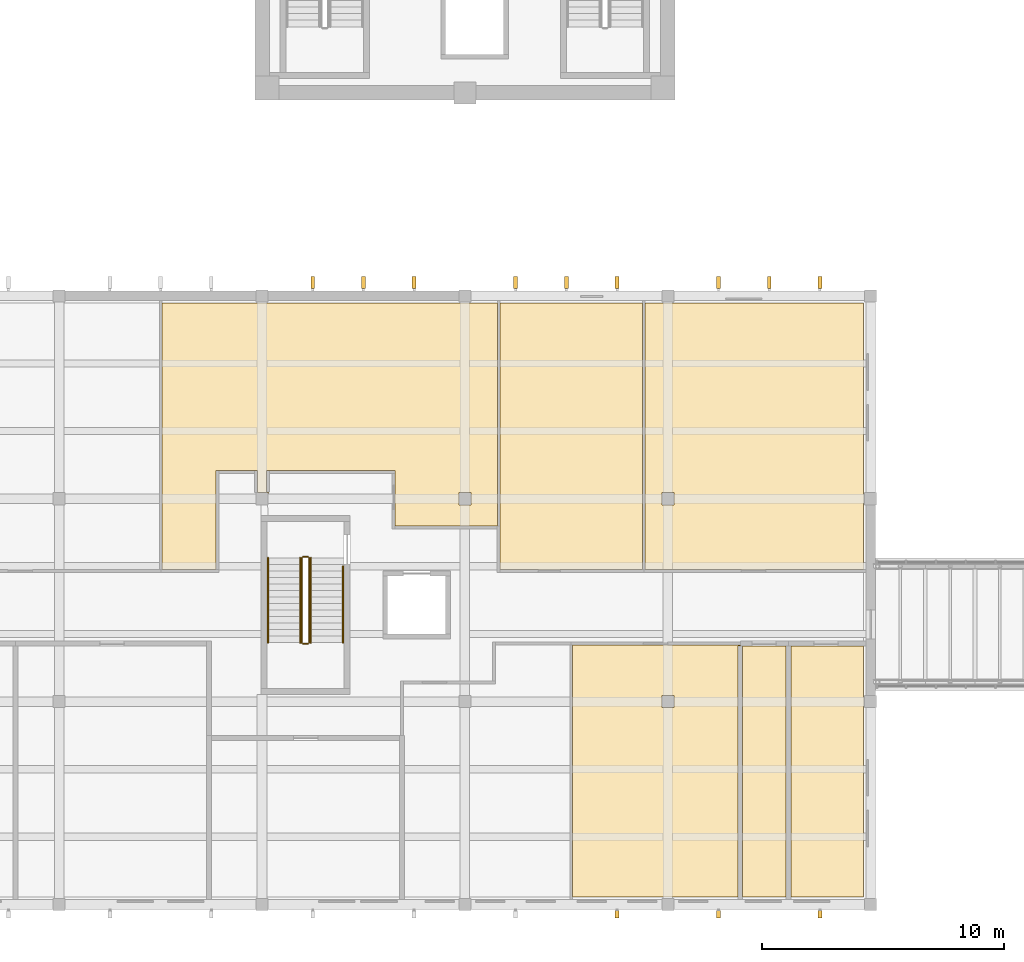
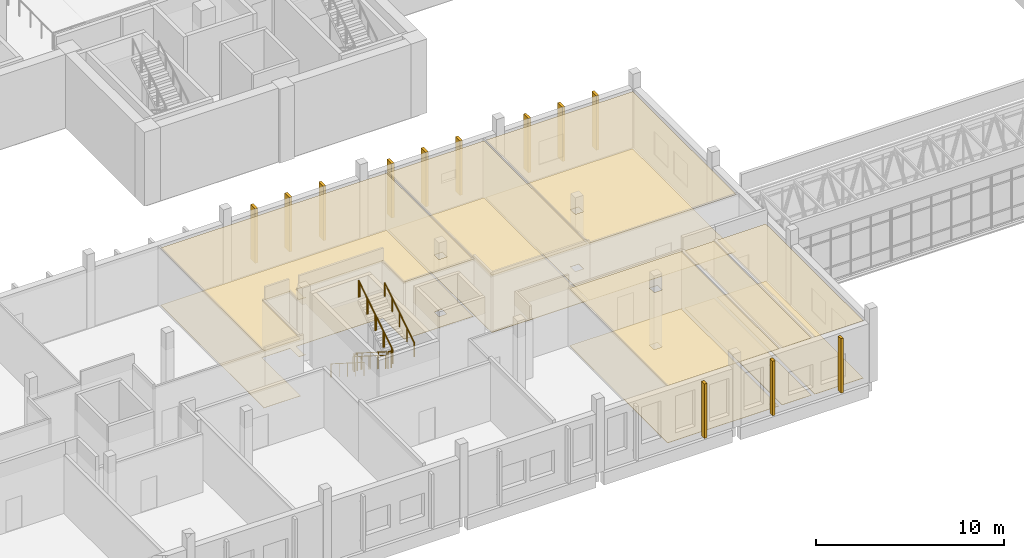
# One storey, part 88 of 119: 24 coverings, 8 railings.
"""IFC4 building model written with IfcOpenShell, lengths in metres."""

from ifc_helpers import new_model, si_unit, direction, frame, origin, origin_2d, place, context, subcontext, project, spatial, polyline, circle, outline, extrude, material, layer, layer_set, type_object, element, save


model = new_model("IFC4")

# Units and contexts
model_context = context("Model", 3, precision=1e-05, world=origin(), true_north=direction((0.0, 1.0)))
body_context = subcontext(model_context, "Body", "Model", "MODEL_VIEW")
ifc_project = project(units=[si_unit("LENGTHUNIT", "METRE"), si_unit("AREAUNIT", "SQUARE_METRE"), si_unit("VOLUMEUNIT", "CUBIC_METRE"), si_unit("PLANEANGLEUNIT", "RADIAN"), si_unit("MASSUNIT", "GRAM", prefix="KILO")], contexts=[model_context])

# Site, building, storey
site_placement = place(None, origin())
site = spatial("IfcSite", under=ifc_project, at=site_placement, CompositionType="ELEMENT")
building_placement = place(site_placement, origin())
building = spatial("IfcBuilding", under=site, at=building_placement, Name="Larchfold Concert Hall", CompositionType="ELEMENT")
storey_placement = place(building_placement, frame((0.0, 0.0, 4.800048828125)))
storey = spatial("IfcBuildingStorey", under=building, at=storey_placement, Name="L01", CompositionType="ELEMENT", Elevation=4.800048828125)

# Coverings
ifc_material_1 = material(Name="Mineral fibre ceiling tile")
ifc_layer_1 = layer(ifc_material_1, 0.02001953125)
ifc_layer_set_1 = layer_set([ifc_layer_1], Name="Mineral fibre ceiling tile")
covering_type_1 = type_object("IfcCoveringType", Name="Ceiling mineral fibre tile 20", PredefinedType="CEILING", material=ifc_layer_set_1)
covering_1_placement = place(storey_placement, frame((0.0, 0.0, 3.719970703125)))
element("IfcCovering", 1, at=covering_1_placement, inside=storey, type_object=covering_type_1, Name="Ceiling Public Toilets 03", PredefinedType="CEILING", context=body_context, shape_type="SweptSolid", body=[
    extrude(outline(polyline([(44.0, 16.263916015625), (44.0625, 16.261474609375), (44.0625, 14.46142578125), (50.0, 14.46142578125), (49.949951171875, 14.465087890625), (49.949951171875, 25.5), (44.050048828125, 25.5), (44.050048828125, 16.263916015625), (44.0, 16.263916015625)])), origin(), (0.0, 0.0, 1.0), 0.02001953125),
])
ifc_material_2 = material(Name="Plasterboard ceiling lining")
ifc_layer_2 = layer(ifc_material_2, 0.030029296875)
ifc_layer_set_2 = layer_set([ifc_layer_2], Name="Plasterboard ceiling lining")
covering_type_2 = type_object("IfcCoveringType", Name="Ceiling suspended plasterboard 30", PredefinedType="CEILING", material=ifc_layer_set_2)
covering_2_placement = place(storey_placement, frame((0.0, 0.0, 3.7099609375)))
element("IfcCovering", 2, at=covering_2_placement, inside=storey, type_object=covering_type_2, Name="Ceiling Practice Room 02", PredefinedType="CEILING", context=body_context, shape_type="SweptSolid", body=[
    extrude(outline(polyline([(59.099853515625, 0.900146484375), (59.099853515625, 11.2998046875), (56.10009765625, 11.2998046875), (56.10009765625, 0.900146484375), (59.099853515625, 0.900146484375)])), origin(), (0.0, 0.0, 1.0), 0.030029296875),
])
covering_3_placement = place(storey_placement, frame((0.0, 0.0, 3.7099609375)))
element("IfcCovering", 3, at=covering_3_placement, inside=storey, type_object=covering_type_2, Name="Ceiling Meeting Room 02", PredefinedType="CEILING", context=body_context, shape_type="SweptSolid", body=[
    extrude(outline(polyline([(54.0, 11.300048828125), (54.0, 11.33740234375), (47.050048828125, 11.33740234375), (47.050048828125, 0.900146484375), (53.89990234375, 0.900146484375), (53.89990234375, 11.300048828125), (54.0, 11.300048828125)]), holes=[polyline([(50.75, 8.75), (50.75, 9.25), (51.25, 9.25), (51.25, 8.75), (50.75, 8.75)])]), origin(), (0.0, 0.0, 1.0), 0.030029296875),
])
covering_4_placement = place(storey_placement, frame((0.0, 0.0, 3.7099609375)))
element("IfcCovering", 4, at=covering_4_placement, inside=storey, type_object=covering_type_2, Name="Ceiling Practice Room 01", PredefinedType="CEILING", context=body_context, shape_type="SweptSolid", body=[
    extrude(outline(polyline([(54.10009765625, 0.900146484375), (55.89990234375, 0.900146484375), (55.89990234375, 11.2998046875), (54.10009765625, 11.2998046875), (54.10009765625, 0.900146484375)])), origin(), (0.0, 0.0, 1.0), 0.030029296875),
])
covering_5_placement = place(storey_placement, frame((0.0, 0.0, 3.7099609375)))
element("IfcCovering", 5, at=covering_5_placement, inside=storey, type_object=covering_type_2, Name="Ceiling Music Library", PredefinedType="CEILING", context=body_context, shape_type="SweptSolid", body=[
    extrude(outline(polyline([(30.0, 14.46142578125), (32.28759765625, 14.46142578125), (32.28857421875, 18.5615234375), (34.0224609375, 18.5615234375), (34.0224609375, 17.64990234375), (34.449951171875, 17.64990234375), (34.449951171875, 17.61669921875), (34.46337890625, 17.625), (34.463623046875, 17.669921875), (34.37548828125, 17.670166015625), (34.377685546875, 18.561767578125), (39.71142578125, 18.5615234375), (39.71142578125, 16.261474609375), (44.0, 16.261474609375), (43.949951171875, 16.263916015625), (43.949951171875, 25.5), (30.050048828125, 25.5), (30.050048828125, 14.465087890625), (30.0, 14.46142578125)]), holes=[polyline([(42.85009765625, 17.64990234375), (42.85009765625, 17.14990234375), (42.35009765625, 17.14990234375), (42.35009765625, 17.64990234375), (42.85009765625, 17.64990234375)])]), origin(), (0.0, 0.0, 1.0), 0.030029296875),
])
covering_6_placement = place(storey_placement, frame((0.0, 0.0, 3.7099609375)))
element("IfcCovering", 6, at=covering_6_placement, inside=storey, type_object=covering_type_2, Name="Ceiling Education Studio", PredefinedType="CEILING", context=body_context, shape_type="SweptSolid", body=[
    extrude(outline(polyline([(50.0, 14.46142578125), (59.099853515625, 14.46240234375), (59.099853515625, 25.5), (50.050048828125, 25.5), (50.050048828125, 14.465087890625), (50.0, 14.46142578125)]), holes=[polyline([(51.25, 17.14990234375), (50.75, 17.14990234375), (50.75, 17.64990234375), (51.25, 17.64990234375), (51.25, 17.14990234375)])]), origin(), (0.0, 0.0, 1.0), 0.030029296875),
])
ifc_material_3 = material(Name="Ceramic tile")
ifc_layer_3 = layer(ifc_material_3, 0.030029296875)
ifc_layer_set_3 = layer_set([ifc_layer_3], Name="Ceramic tile")
covering_type_3 = type_object("IfcCoveringType", Name="Floor finish ceramic tile 30", PredefinedType="FLOORING", material=ifc_layer_set_3)
covering_7_placement = place(storey_placement, origin())
element("IfcCovering", 7, at=covering_7_placement, inside=storey, type_object=covering_type_3, Name="Floor finish Public Toilets 03", PredefinedType="FLOORING", context=body_context, shape_type="SweptSolid", body=[
    extrude(outline(polyline([(44.0, 16.263916015625), (44.0625, 16.261474609375), (44.0625, 14.46142578125), (50.0, 14.46142578125), (49.949951171875, 14.465087890625), (49.949951171875, 25.5), (44.050048828125, 25.5), (44.050048828125, 16.263916015625), (44.0, 16.263916015625)])), origin(), (0.0, 0.0, 1.0), 0.030029296875),
])
ifc_material_4 = material(Name="Linoleum sheet")
ifc_layer_4 = layer(ifc_material_4, 0.02001953125)
ifc_layer_set_4 = layer_set([ifc_layer_4], Name="Linoleum sheet")
covering_type_4 = type_object("IfcCoveringType", Name="Floor finish vinyl 20", PredefinedType="FLOORING", material=ifc_layer_set_4)
covering_8_placement = place(storey_placement, origin())
element("IfcCovering", 8, at=covering_8_placement, inside=storey, type_object=covering_type_4, Name="Floor finish Practice Room 02", PredefinedType="FLOORING", context=body_context, shape_type="SweptSolid", body=[
    extrude(outline(polyline([(59.099853515625, 0.900146484375), (59.099853515625, 11.2998046875), (56.10009765625, 11.2998046875), (56.10009765625, 0.900146484375), (59.099853515625, 0.900146484375)])), origin(), (0.0, 0.0, 1.0), 0.02001953125),
])
covering_9_placement = place(storey_placement, origin())
element("IfcCovering", 9, at=covering_9_placement, inside=storey, type_object=covering_type_4, Name="Floor finish Meeting Room 02", PredefinedType="FLOORING", context=body_context, shape_type="SweptSolid", body=[
    extrude(outline(polyline([(54.0, 11.300048828125), (54.0, 11.33740234375), (47.050048828125, 11.33740234375), (47.050048828125, 0.900146484375), (53.89990234375, 0.900146484375), (53.89990234375, 11.300048828125), (54.0, 11.300048828125)]), holes=[polyline([(50.75, 8.75), (50.75, 9.25), (51.25, 9.25), (51.25, 8.75), (50.75, 8.75)])]), origin(), (0.0, 0.0, 1.0), 0.02001953125),
])
covering_10_placement = place(storey_placement, origin())
element("IfcCovering", 10, at=covering_10_placement, inside=storey, type_object=covering_type_4, Name="Floor finish Practice Room 01", PredefinedType="FLOORING", context=body_context, shape_type="SweptSolid", body=[
    extrude(outline(polyline([(54.10009765625, 0.900146484375), (55.89990234375, 0.900146484375), (55.89990234375, 11.2998046875), (54.10009765625, 11.2998046875), (54.10009765625, 0.900146484375)])), origin(), (0.0, 0.0, 1.0), 0.02001953125),
])
covering_11_placement = place(storey_placement, origin())
element("IfcCovering", 11, at=covering_11_placement, inside=storey, type_object=covering_type_4, Name="Floor finish Music Library", PredefinedType="FLOORING", context=body_context, shape_type="SweptSolid", body=[
    extrude(outline(polyline([(30.0, 14.46142578125), (32.28759765625, 14.46142578125), (32.28857421875, 18.5615234375), (34.0224609375, 18.5615234375), (34.0224609375, 17.64990234375), (34.449951171875, 17.64990234375), (34.449951171875, 17.61669921875), (34.46337890625, 17.625), (34.463623046875, 17.669921875), (34.37548828125, 17.670166015625), (34.377685546875, 18.561767578125), (39.71142578125, 18.5615234375), (39.71142578125, 16.261474609375), (44.0, 16.261474609375), (43.949951171875, 16.263916015625), (43.949951171875, 25.5), (30.050048828125, 25.5), (30.050048828125, 14.465087890625), (30.0, 14.46142578125)]), holes=[polyline([(42.85009765625, 17.64990234375), (42.85009765625, 17.14990234375), (42.35009765625, 17.14990234375), (42.35009765625, 17.64990234375), (42.85009765625, 17.64990234375)])]), origin(), (0.0, 0.0, 1.0), 0.02001953125),
])
covering_12_placement = place(storey_placement, origin())
element("IfcCovering", 12, at=covering_12_placement, inside=storey, type_object=covering_type_4, Name="Floor finish Education Studio", PredefinedType="FLOORING", context=body_context, shape_type="SweptSolid", body=[
    extrude(outline(polyline([(50.0, 14.46142578125), (59.099853515625, 14.46240234375), (59.099853515625, 25.5), (50.050048828125, 25.5), (50.050048828125, 14.465087890625), (50.0, 14.46142578125)]), holes=[polyline([(51.25, 17.14990234375), (50.75, 17.14990234375), (50.75, 17.64990234375), (51.25, 17.64990234375), (51.25, 17.14990234375)])]), origin(), (0.0, 0.0, 1.0), 0.02001953125),
])
ifc_material_5 = material(Name="Glulam GL30c", Category="wood")
ifc_layer_5 = layer(ifc_material_5, 0.159912109375)
ifc_layer_set_5 = layer_set([ifc_layer_5], Name="Glulam GL30c")
covering_type_5 = type_object("IfcCoveringType", Name="Glulam fin 160x300", PredefinedType="CLADDING", material=ifc_layer_set_5)
covering_13_placement = place(storey_placement, frame((0.0, 0.0, 0.199951171875)))
element("IfcCovering", 13, at=covering_13_placement, inside=storey, type_object=covering_type_5, Name="Glulam fin FN-L01-033", PredefinedType="CLADDING", context=body_context, shape_type="SweptSolid", body=[
    extrude(outline(polyline([(48.97998046875, 0.050048828125), (48.97998046875, 0.35009765625), (48.820068359375, 0.35009765625), (48.820068359375, 0.050048828125), (48.97998046875, 0.050048828125)])), origin(), (0.0, 0.0, 1.0), 3.5400390625),
])
covering_14_placement = place(storey_placement, frame((0.0, 0.0, 0.199951171875)))
element("IfcCovering", 14, at=covering_14_placement, inside=storey, type_object=covering_type_5, Name="Glulam fin FN-L01-034", PredefinedType="CLADDING", context=body_context, shape_type="SweptSolid", body=[
    extrude(outline(polyline([(53.179931640625, 0.050048828125), (53.179931640625, 0.35009765625), (53.02001953125, 0.35009765625), (53.02001953125, 0.050048828125), (53.179931640625, 0.050048828125)])), origin(), (0.0, 0.0, 1.0), 3.5400390625),
])
covering_15_placement = place(storey_placement, frame((0.0, 0.0, 0.199951171875)))
element("IfcCovering", 15, at=covering_15_placement, inside=storey, type_object=covering_type_5, Name="Glulam fin FN-L01-035", PredefinedType="CLADDING", context=body_context, shape_type="SweptSolid", body=[
    extrude(outline(polyline([(57.3798828125, 0.050048828125), (57.3798828125, 0.35009765625), (57.219970703125, 0.35009765625), (57.219970703125, 0.050048828125), (57.3798828125, 0.050048828125)])), origin(), (0.0, 0.0, 1.0), 3.5400390625),
])
ifc_material_6 = material(Name="Glulam GL30c", Category="wood")
ifc_layer_6 = layer(ifc_material_6, 0.159912109375)
ifc_layer_set_6 = layer_set([ifc_layer_6], Name="Glulam GL30c")
covering_type_6 = type_object("IfcCoveringType", Name="Glulam fin 160x500", PredefinedType="CLADDING", material=ifc_layer_set_6)
covering_16_placement = place(storey_placement, frame((0.0, 0.0, 0.199951171875)))
element("IfcCovering", 16, at=covering_16_placement, inside=storey, type_object=covering_type_6, Name="Glulam fin FN-L01-001", PredefinedType="CLADDING", context=body_context, shape_type="SweptSolid", body=[
    extrude(outline(polyline([(53.179931640625, 26.10009765625), (53.179931640625, 26.60009765625), (53.02001953125, 26.60009765625), (53.02001953125, 26.10009765625), (53.179931640625, 26.10009765625)])), origin(), (0.0, 0.0, 1.0), 3.5400390625),
])
covering_17_placement = place(storey_placement, frame((0.0, 0.0, 0.199951171875)))
element("IfcCovering", 17, at=covering_17_placement, inside=storey, type_object=covering_type_6, Name="Glulam fin FN-L01-002", PredefinedType="CLADDING", context=body_context, shape_type="SweptSolid", body=[
    extrude(outline(polyline([(55.280029296875, 26.10009765625), (55.280029296875, 26.60009765625), (55.1201171875, 26.60009765625), (55.1201171875, 26.10009765625), (55.280029296875, 26.10009765625)])), origin(), (0.0, 0.0, 1.0), 3.5400390625),
])
covering_18_placement = place(storey_placement, frame((0.0, 0.0, 0.199951171875)))
element("IfcCovering", 18, at=covering_18_placement, inside=storey, type_object=covering_type_6, Name="Glulam fin FN-L01-003", PredefinedType="CLADDING", context=body_context, shape_type="SweptSolid", body=[
    extrude(outline(polyline([(57.3798828125, 26.10009765625), (57.3798828125, 26.60009765625), (57.219970703125, 26.60009765625), (57.219970703125, 26.10009765625), (57.3798828125, 26.10009765625)])), origin(), (0.0, 0.0, 1.0), 3.5400390625),
])
covering_19_placement = place(storey_placement, frame((0.0, 0.0, 0.199951171875)))
element("IfcCovering", 19, at=covering_19_placement, inside=storey, type_object=covering_type_6, Name="Glulam fin FN-L01-004", PredefinedType="CLADDING", context=body_context, shape_type="SweptSolid", body=[
    extrude(outline(polyline([(44.780029296875, 26.10009765625), (44.780029296875, 26.60009765625), (44.6201171875, 26.60009765625), (44.6201171875, 26.10009765625), (44.780029296875, 26.10009765625)])), origin(), (0.0, 0.0, 1.0), 3.5400390625),
])
covering_20_placement = place(storey_placement, frame((0.0, 0.0, 0.199951171875)))
element("IfcCovering", 20, at=covering_20_placement, inside=storey, type_object=covering_type_6, Name="Glulam fin FN-L01-005", PredefinedType="CLADDING", context=body_context, shape_type="SweptSolid", body=[
    extrude(outline(polyline([(46.8798828125, 26.10009765625), (46.8798828125, 26.60009765625), (46.719970703125, 26.60009765625), (46.719970703125, 26.10009765625), (46.8798828125, 26.10009765625)])), origin(), (0.0, 0.0, 1.0), 3.5400390625),
])
covering_21_placement = place(storey_placement, frame((0.0, 0.0, 0.199951171875)))
element("IfcCovering", 21, at=covering_21_placement, inside=storey, type_object=covering_type_6, Name="Glulam fin FN-L01-006", PredefinedType="CLADDING", context=body_context, shape_type="SweptSolid", body=[
    extrude(outline(polyline([(48.97998046875, 26.10009765625), (48.97998046875, 26.60009765625), (48.820068359375, 26.60009765625), (48.820068359375, 26.10009765625), (48.97998046875, 26.10009765625)])), origin(), (0.0, 0.0, 1.0), 3.5400390625),
])
covering_22_placement = place(storey_placement, frame((0.0, 0.0, 0.199951171875)))
element("IfcCovering", 22, at=covering_22_placement, inside=storey, type_object=covering_type_6, Name="Glulam fin FN-L01-007", PredefinedType="CLADDING", context=body_context, shape_type="SweptSolid", body=[
    extrude(outline(polyline([(36.3798828125, 26.10009765625), (36.3798828125, 26.60009765625), (36.219970703125, 26.60009765625), (36.219970703125, 26.10009765625), (36.3798828125, 26.10009765625)])), origin(), (0.0, 0.0, 1.0), 3.5400390625),
])
covering_23_placement = place(storey_placement, frame((0.0, 0.0, 0.199951171875)))
element("IfcCovering", 23, at=covering_23_placement, inside=storey, type_object=covering_type_6, Name="Glulam fin FN-L01-008", PredefinedType="CLADDING", context=body_context, shape_type="SweptSolid", body=[
    extrude(outline(polyline([(38.47998046875, 26.10009765625), (38.47998046875, 26.60009765625), (38.320068359375, 26.60009765625), (38.320068359375, 26.10009765625), (38.47998046875, 26.10009765625)])), origin(), (0.0, 0.0, 1.0), 3.5400390625),
])
covering_24_placement = place(storey_placement, frame((0.0, 0.0, 0.199951171875)))
element("IfcCovering", 24, at=covering_24_placement, inside=storey, type_object=covering_type_6, Name="Glulam fin FN-L01-009", PredefinedType="CLADDING", context=body_context, shape_type="SweptSolid", body=[
    extrude(outline(polyline([(40.580078125, 26.10009765625), (40.580078125, 26.60009765625), (40.419921875, 26.60009765625), (40.419921875, 26.10009765625), (40.580078125, 26.10009765625)])), origin(), (0.0, 0.0, 1.0), 3.5400390625),
])

# Railings
ifc_material_7 = material(Name="Stainless steel balustrade", Category="steel")
railing_type_1 = type_object("IfcRailingType", Name="Stair guard 1100", PredefinedType="GUARDRAIL", material=ifc_material_7)
railing_1_placement = place(storey_placement, frame((35.849853515625, 14.949951171875, 0.17138671875)))
element("IfcRailing", 25, at=railing_1_placement, inside=storey, type_object=railing_type_1, Name="Guard GR0081", PredefinedType="GUARDRAIL", context=body_context, shape_type="SweptSolid", body=[
    extrude(circle(Radius=0.02392578125, at=origin_2d()), frame((0.0, 0.0, 1.076171875), z_axis=(0.0, -0.844219563411, 0.53599750816), x_axis=(1.0, 0.0, 0.0)), (0.0, 0.0, 1.0), 4.15771484375),
    extrude(circle(Radius=0.02099609375, at=origin_2d()), origin(), (0.0, 0.0, 1.0), 1.052001953125),
    extrude(circle(Radius=0.02099609375, at=origin_2d()), frame((0.0, -0.87744140625, 0.55712890625)), (0.0, 0.0, 1.0), 1.052001953125),
    extrude(circle(Radius=0.02099609375, at=origin_2d()), frame((0.0, -1.7548828125, 1.1142578125)), (0.0, 0.0, 1.0), 1.052001953125),
    extrude(circle(Radius=0.02099609375, at=origin_2d()), frame((0.0, -2.632568359375, 1.67138671875)), (0.0, 0.0, 1.0), 1.052001953125),
    extrude(circle(Radius=0.02099609375, at=origin_2d()), frame((0.0, -3.510009765625, 2.228515625)), (0.0, 0.0, 1.0), 1.052001953125),
])
railing_2_placement = place(storey_placement, frame((35.89990234375, 11.389892578125, 2.39990234375)))
element("IfcRailing", 26, at=railing_2_placement, inside=storey, type_object=railing_type_1, Name="Guard GR0082", PredefinedType="GUARDRAIL", context=body_context, shape_type="SweptSolid", body=[
    extrude(circle(Radius=0.02392578125, at=origin_2d()), frame((0.0, 0.0, 1.076171875), z_axis=(1.0, 0.0, 0.0), x_axis=(0.0, 1.0, 0.0)), (0.0, 0.0, 1.0), 0.199951171875),
    extrude(circle(Radius=0.02099609375, at=origin_2d()), origin(), (0.0, 0.0, 1.0), 1.052001953125),
    extrude(circle(Radius=0.02099609375, at=origin_2d()), frame((0.199951171875, 0.0, 0.0)), (0.0, 0.0, 1.0), 1.052001953125),
])
railing_3_placement = place(storey_placement, frame((36.14990234375, 11.43994140625, 2.5712890625)))
element("IfcRailing", 27, at=railing_3_placement, inside=storey, type_object=railing_type_1, Name="Guard GR0083", PredefinedType="GUARDRAIL", context=body_context, shape_type="SweptSolid", body=[
    extrude(circle(Radius=0.02392578125, at=origin_2d()), frame((0.0, 0.0, 1.076171875), z_axis=(0.0, 0.844192992368, 0.536039356425), x_axis=(-1.0, 0.0, 0.0)), (0.0, 0.0, 1.0), 4.15771484375),
    extrude(circle(Radius=0.02099609375, at=origin_2d()), origin(), (0.0, 0.0, 1.0), 1.052001953125),
    extrude(circle(Radius=0.02099609375, at=origin_2d()), frame((0.0, 0.87744140625, 0.55712890625)), (0.0, 0.0, 1.0), 1.052001953125),
    extrude(circle(Radius=0.02099609375, at=origin_2d()), frame((0.0, 1.7548828125, 1.1142578125)), (0.0, 0.0, 1.0), 1.052001953125),
    extrude(circle(Radius=0.02099609375, at=origin_2d()), frame((0.0, 2.632568359375, 1.671630859375)), (0.0, 0.0, 1.0), 1.052001953125),
    extrude(circle(Radius=0.02099609375, at=origin_2d()), frame((0.0, 3.510009765625, 2.228759765625)), (0.0, 0.0, 1.0), 1.052001953125),
])
railing_4_placement = place(storey_placement, frame((35.89990234375, 15.0, 0.0)))
element("IfcRailing", 28, at=railing_4_placement, inside=storey, type_object=railing_type_1, Name="Guard GR0084", PredefinedType="GUARDRAIL", context=body_context, shape_type="SweptSolid", body=[
    extrude(circle(Radius=0.02392578125, at=origin_2d()), frame((0.0, 0.0, 1.076171875), z_axis=(1.0, 0.0, 0.0), x_axis=(0.0, 1.0, 0.0)), (0.0, 0.0, 1.0), 0.199951171875),
    extrude(circle(Radius=0.02099609375, at=origin_2d()), origin(), (0.0, 0.0, 1.0), 1.052001953125),
    extrude(circle(Radius=0.02099609375, at=origin_2d()), frame((0.199951171875, 0.0, 0.0)), (0.0, 0.0, 1.0), 1.052001953125),
])
ifc_material_8 = material(Name="Stainless steel handrail", Category="steel")
railing_type_2 = type_object("IfcRailingType", Name="Stair handrail 900", PredefinedType="HANDRAIL", material=ifc_material_8)
railing_5_placement = place(storey_placement, frame((34.449951171875, 14.949951171875, 0.17138671875)))
element("IfcRailing", 29, at=railing_5_placement, inside=storey, type_object=railing_type_2, Name="Handrail HR0077", PredefinedType="HANDRAIL", context=body_context, shape_type="SweptSolid", body=[
    extrude(circle(Radius=0.02392578125, at=origin_2d()), frame((0.0, 0.0, 0.8759765625), z_axis=(0.0, -0.844219563411, 0.53599750816), x_axis=(1.0, 0.0, 0.0)), (0.0, 0.0, 1.0), 4.15771484375),
    extrude(circle(Radius=0.02099609375, at=origin_2d()), origin(), (0.0, 0.0, 1.0), 0.851806640625),
    extrude(circle(Radius=0.02099609375, at=origin_2d()), frame((0.0, -0.87744140625, 0.55712890625)), (0.0, 0.0, 1.0), 0.851806640625),
    extrude(circle(Radius=0.02099609375, at=origin_2d()), frame((0.0, -1.7548828125, 1.1142578125)), (0.0, 0.0, 1.0), 0.851806640625),
    extrude(circle(Radius=0.02099609375, at=origin_2d()), frame((0.0, -2.632568359375, 1.67138671875)), (0.0, 0.0, 1.0), 0.851806640625),
    extrude(circle(Radius=0.02099609375, at=origin_2d()), frame((0.0, -3.510009765625, 2.228515625)), (0.0, 0.0, 1.0), 0.851806640625),
])
railing_6_placement = place(storey_placement, frame((37.5498046875, 11.43994140625, 2.5712890625)))
element("IfcRailing", 30, at=railing_6_placement, inside=storey, type_object=railing_type_2, Name="Handrail HR0078", PredefinedType="HANDRAIL", context=body_context, shape_type="SweptSolid", body=[
    extrude(circle(Radius=0.02392578125, at=origin_2d()), frame((0.0, 0.0, 0.8759765625), z_axis=(0.0, 0.844224994989, 0.535988953092), x_axis=(-1.0, 0.0, 0.0)), (0.0, 0.0, 1.0), 3.7431640625),
    extrude(circle(Radius=0.02099609375, at=origin_2d()), origin(), (0.0, 0.0, 1.0), 0.851806640625),
    extrude(circle(Radius=0.02099609375, at=origin_2d()), frame((0.0, 0.7900390625, 0.50146484375)), (0.0, 0.0, 1.0), 0.851806640625),
    extrude(circle(Radius=0.02099609375, at=origin_2d()), frame((0.0, 1.580078125, 1.003173828125)), (0.0, 0.0, 1.0), 0.851806640625),
    extrude(circle(Radius=0.02099609375, at=origin_2d()), frame((0.0, 2.3701171875, 1.5048828125)), (0.0, 0.0, 1.0), 0.851806640625),
    extrude(circle(Radius=0.02099609375, at=origin_2d()), frame((0.0, 3.16015625, 2.00634765625)), (0.0, 0.0, 1.0), 0.851806640625),
])
railing_7_placement = place(storey_placement, frame((35.77978515625, 14.949951171875, 0.17138671875)))
element("IfcRailing", 31, at=railing_7_placement, inside=storey, type_object=railing_type_2, Name="Handrail HR0079", PredefinedType="HANDRAIL", context=body_context, shape_type="SweptSolid", body=[
    extrude(circle(Radius=0.02392578125, at=origin_2d()), frame((0.0, 0.0, 0.8759765625), z_axis=(0.0, -0.844219563411, 0.53599750816), x_axis=(1.0, 0.0, 0.0)), (0.0, 0.0, 1.0), 4.15771484375),
    extrude(circle(Radius=0.02099609375, at=origin_2d()), origin(), (0.0, 0.0, 1.0), 0.851806640625),
    extrude(circle(Radius=0.02099609375, at=origin_2d()), frame((0.0, -0.87744140625, 0.55712890625)), (0.0, 0.0, 1.0), 0.851806640625),
    extrude(circle(Radius=0.02099609375, at=origin_2d()), frame((0.0, -1.7548828125, 1.1142578125)), (0.0, 0.0, 1.0), 0.851806640625),
    extrude(circle(Radius=0.02099609375, at=origin_2d()), frame((0.0, -2.632568359375, 1.67138671875)), (0.0, 0.0, 1.0), 0.851806640625),
    extrude(circle(Radius=0.02099609375, at=origin_2d()), frame((0.0, -3.510009765625, 2.228515625)), (0.0, 0.0, 1.0), 0.851806640625),
])
railing_8_placement = place(storey_placement, frame((36.219970703125, 11.43994140625, 2.5712890625)))
element("IfcRailing", 32, at=railing_8_placement, inside=storey, type_object=railing_type_2, Name="Handrail HR0080", PredefinedType="HANDRAIL", context=body_context, shape_type="SweptSolid", body=[
    extrude(circle(Radius=0.02392578125, at=origin_2d()), frame((0.0, 0.0, 0.8759765625), z_axis=(0.0, 0.844192992368, 0.536039356425), x_axis=(-1.0, 0.0, 0.0)), (0.0, 0.0, 1.0), 4.15771484375),
    extrude(circle(Radius=0.02099609375, at=origin_2d()), origin(), (0.0, 0.0, 1.0), 0.851806640625),
    extrude(circle(Radius=0.02099609375, at=origin_2d()), frame((0.0, 0.87744140625, 0.55712890625)), (0.0, 0.0, 1.0), 0.851806640625),
    extrude(circle(Radius=0.02099609375, at=origin_2d()), frame((0.0, 1.7548828125, 1.1142578125)), (0.0, 0.0, 1.0), 0.851806640625),
    extrude(circle(Radius=0.02099609375, at=origin_2d()), frame((0.0, 2.632568359375, 1.671630859375)), (0.0, 0.0, 1.0), 0.851806640625),
    extrude(circle(Radius=0.02099609375, at=origin_2d()), frame((0.0, 3.510009765625, 2.228759765625)), (0.0, 0.0, 1.0), 0.851806640625),
])

save(model, "model.ifc")
